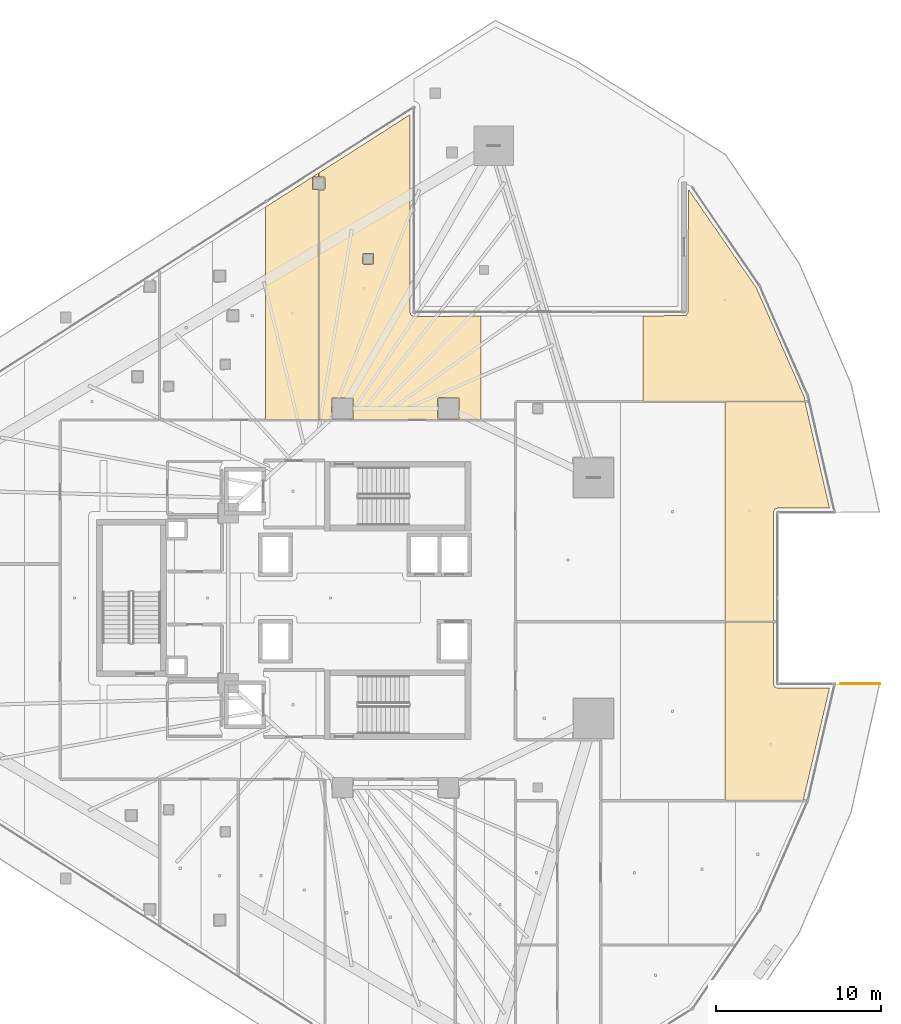
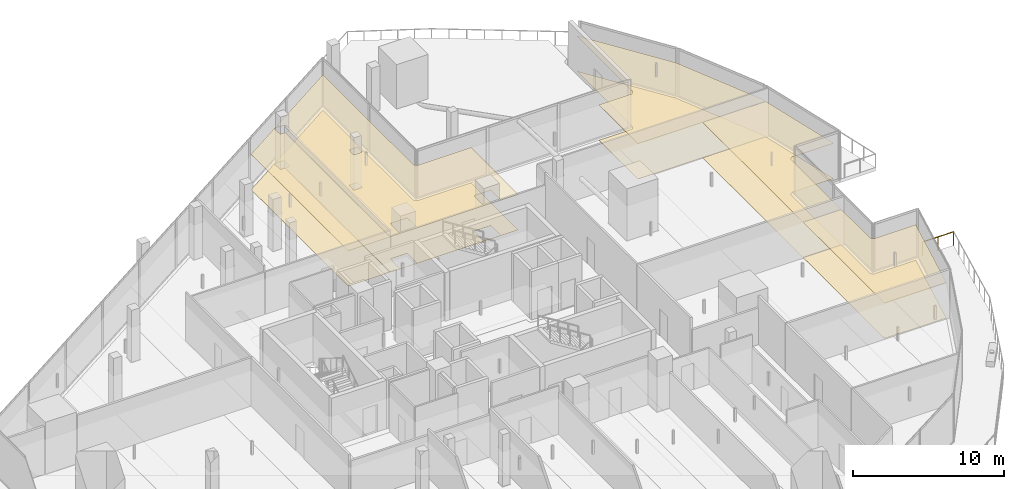
# One storey, part 44 of 44: 10 coverings, 1 railing.
"""IFC4 building model written with IfcOpenShell, lengths in metres."""

from ifc_helpers import new_model, si_unit, direction, frame, origin, origin_2d, place, context, subcontext, project, spatial, polyline, circle, outline, extrude, material, layer, layer_set, type_object, element, save


model = new_model("IFC4")

# Units and contexts
model_context = context("Model", 3, precision=1e-05, world=origin(), true_north=direction((0.0, 1.0)))
body_context = subcontext(model_context, "Body", "Model", "MODEL_VIEW")
ifc_project = project(units=[si_unit("LENGTHUNIT", "METRE"), si_unit("AREAUNIT", "SQUARE_METRE"), si_unit("VOLUMEUNIT", "CUBIC_METRE"), si_unit("PLANEANGLEUNIT", "RADIAN"), si_unit("MASSUNIT", "GRAM", prefix="KILO")], contexts=[model_context])

# Site, building, storey
site_placement = place(None, origin())
site = spatial("IfcSite", under=ifc_project, at=site_placement, CompositionType="ELEMENT")
building_placement = place(site_placement, origin())
building = spatial("IfcBuilding", under=site, at=building_placement, Name="Qorvath Tower", CompositionType="ELEMENT")
storey_placement = place(building_placement, frame((0.0, 0.0, 78.60009765625)))
storey = spatial("IfcBuildingStorey", under=building, at=storey_placement, Name="L17", CompositionType="ELEMENT", Elevation=78.60009765625)

# Coverings
ifc_material_1 = material(Name="Acoustic mineral fibre ceiling tile", Category="gypsum")
ifc_layer_1 = layer(ifc_material_1, 0.030029296875)
ifc_layer_set_1 = layer_set([ifc_layer_1], Name="COV-CEIL")
covering_type_1 = type_object("IfcCoveringType", Name="COV-CEIL", PredefinedType="CEILING", material=ifc_layer_set_1)
covering_1_placement = place(storey_placement, frame((0.0, 0.0, 2.849853515625)))
element("IfcCovering", 1, at=covering_1_placement, inside=storey, type_object=covering_type_1, Name="L17 Suspended Acoustic Ceiling 012", PredefinedType="CEILING", context=body_context, shape_type="SweptSolid", body=[
    extrude(outline(polyline([(-25.038818359375, 25.44384765625), (-25.038818359375, 25.686279296875), (-28.240966796875, 23.639892578125), (-28.240966796875, 10.762939453125), (-25.038818359375, 10.762939453125), (-25.038818359375, 24.673828125), (-25.405029296875, 24.69140625), (-25.422607421875, 25.3837890625), (-25.362548828125, 25.44384765625), (-25.038818359375, 25.44384765625)])), origin(), (0.0, 0.0, 1.0), 0.030029296875),
])
covering_2_placement = place(storey_placement, frame((0.0, 0.0, 2.849853515625)))
element("IfcCovering", 2, at=covering_2_placement, inside=storey, type_object=covering_type_1, Name="L17 Suspended Acoustic Ceiling 013", PredefinedType="CEILING", context=body_context, shape_type="SweptSolid", body=[
    extrude(outline(polyline([(-15.228271484375, 10.762939453125), (-15.228271484375, 17.034423828125), (-19.280029296875, 17.02490234375), (-19.458740234375, 17.0986328125), (-19.534912109375, 17.280029296875), (-19.534912109375, 29.2041015625), (-25.020751953125, 25.697998046875), (-25.020751953125, 25.44384765625), (-24.712646484375, 25.44384765625), (-24.652587890625, 25.3837890625), (-24.652587890625, 24.73388671875), (-24.712646484375, 24.673828125), (-25.020751953125, 24.673828125), (-25.020751953125, 10.762939453125), (-15.228271484375, 10.762939453125)]), holes=[polyline([(-17.860107421875, 12.050048828125), (-17.800048828125, 12.110107421875), (-16.5576171875, 12.092529296875), (-16.5576171875, 10.8076171875), (-17.842529296875, 10.8076171875), (-17.860107421875, 12.050048828125)]), polyline([(-22.38818359375, 20.219970703125), (-22.37060546875, 20.812255859375), (-21.73583984375, 20.812255859375), (-21.73583984375, 20.177490234375), (-22.328125, 20.159912109375), (-22.38818359375, 20.219970703125)]), polyline([(-24.260009765625, 10.85009765625), (-24.242431640625, 12.092529296875), (-22.95751953125, 12.092529296875), (-22.95751953125, 10.8076171875), (-24.199951171875, 10.7900390625), (-24.260009765625, 10.85009765625)])]), origin(), (0.0, 0.0, 1.0), 0.030029296875),
])
covering_3_placement = place(storey_placement, frame((0.0, 0.0, 2.849853515625)))
element("IfcCovering", 3, at=covering_3_placement, inside=storey, type_object=covering_type_1, Name="L17 Suspended Acoustic Ceiling 015", PredefinedType="CEILING", context=body_context, shape_type="SweptSolid", body=[
    extrude(outline(polyline([(-5.435546875, 17.057373046875), (-5.435546875, 11.878173828125), (4.357177734375, 11.883056640625), (4.30078125, 12.158447265625), (1.416259765625, 18.74072265625), (-2.696044921875, 24.69970703125), (-2.72509765625, 17.281005859375), (-2.869384765625, 17.0634765625), (-5.435546875, 17.057373046875)])), origin(), (0.0, 0.0, 1.0), 0.030029296875),
])
covering_4_placement = place(storey_placement, frame((0.0, 0.0, 2.849853515625)))
element("IfcCovering", 4, at=covering_4_placement, inside=storey, type_object=covering_type_1, Name="L17 Suspended Acoustic Ceiling 033", PredefinedType="CEILING", context=body_context, shape_type="SweptSolid", body=[
    extrude(outline(polyline([(2.532958984375, -5.3798828125), (2.445556640625, -5.232666015625), (2.44091796875, -1.4462890625), (-0.491455078125, -1.4462890625), (-0.491455078125, -12.236328125), (4.244140625, -12.236328125), (5.831298828125, -5.43896484375), (2.67138671875, -5.437744140625), (2.532958984375, -5.3798828125)])), origin(), (0.0, 0.0, 1.0), 0.030029296875),
])
covering_5_placement = place(storey_placement, frame((0.0, 0.0, 2.849853515625)))
element("IfcCovering", 5, at=covering_5_placement, inside=storey, type_object=covering_type_1, Name="L17 Suspended Acoustic Ceiling 036", PredefinedType="CEILING", context=body_context, shape_type="SweptSolid", body=[
    extrude(outline(polyline([(2.51708984375, 5.365478515625), (2.69580078125, 5.43896484375), (5.831298828125, 5.43896484375), (4.348388671875, 11.864990234375), (-0.491455078125, 11.863037109375), (-0.491455078125, -1.428466796875), (2.44091796875, -1.428466796875), (2.44091796875, 5.18408203125), (2.51708984375, 5.365478515625)])), origin(), (0.0, 0.0, 1.0), 0.030029296875),
])
ifc_material_2 = material(Name="Low-VOC modular carpet tile", Category="textile")
ifc_layer_2 = layer(ifc_material_2, 0.014892578125)
ifc_layer_set_2 = layer_set([ifc_layer_2], Name="COV-FLOOR-CPT")
covering_type_2 = type_object("IfcCoveringType", Name="COV-FLOOR-CPT", PredefinedType="FLOORING", material=ifc_layer_set_2)
covering_6_placement = place(storey_placement, origin())
element("IfcCovering", 6, at=covering_6_placement, inside=storey, type_object=covering_type_2, Name="L17 Floor Finish 012", PredefinedType="FLOORING", context=body_context, shape_type="SweptSolid", body=[
    extrude(outline(polyline([(-25.038818359375, 25.44384765625), (-25.038818359375, 25.686279296875), (-28.240966796875, 23.639892578125), (-28.240966796875, 10.762939453125), (-25.038818359375, 10.762939453125), (-25.038818359375, 24.673828125), (-25.405029296875, 24.69140625), (-25.422607421875, 25.3837890625), (-25.362548828125, 25.44384765625), (-25.038818359375, 25.44384765625)])), origin(), (0.0, 0.0, 1.0), 0.014892578125),
])
covering_7_placement = place(storey_placement, origin())
element("IfcCovering", 7, at=covering_7_placement, inside=storey, type_object=covering_type_2, Name="L17 Floor Finish 013", PredefinedType="FLOORING", context=body_context, shape_type="SweptSolid", body=[
    extrude(outline(polyline([(-15.228271484375, 10.762939453125), (-15.228271484375, 17.034423828125), (-19.280029296875, 17.02490234375), (-19.458740234375, 17.0986328125), (-19.534912109375, 17.280029296875), (-19.534912109375, 29.2041015625), (-25.020751953125, 25.697998046875), (-25.020751953125, 25.44384765625), (-24.712646484375, 25.44384765625), (-24.652587890625, 25.3837890625), (-24.652587890625, 24.73388671875), (-24.712646484375, 24.673828125), (-25.020751953125, 24.673828125), (-25.020751953125, 10.762939453125), (-15.228271484375, 10.762939453125)]), holes=[polyline([(-17.860107421875, 12.050048828125), (-17.800048828125, 12.110107421875), (-16.5576171875, 12.092529296875), (-16.5576171875, 10.8076171875), (-17.842529296875, 10.8076171875), (-17.860107421875, 12.050048828125)]), polyline([(-22.38818359375, 20.219970703125), (-22.37060546875, 20.812255859375), (-21.73583984375, 20.812255859375), (-21.73583984375, 20.177490234375), (-22.328125, 20.159912109375), (-22.38818359375, 20.219970703125)]), polyline([(-24.260009765625, 10.85009765625), (-24.242431640625, 12.092529296875), (-22.95751953125, 12.092529296875), (-22.95751953125, 10.8076171875), (-24.199951171875, 10.7900390625), (-24.260009765625, 10.85009765625)])]), origin(), (0.0, 0.0, 1.0), 0.014892578125),
])
covering_8_placement = place(storey_placement, origin())
element("IfcCovering", 8, at=covering_8_placement, inside=storey, type_object=covering_type_2, Name="L17 Floor Finish 015", PredefinedType="FLOORING", context=body_context, shape_type="SweptSolid", body=[
    extrude(outline(polyline([(-5.435546875, 17.057373046875), (-5.435546875, 11.878173828125), (4.357177734375, 11.883056640625), (4.30078125, 12.158447265625), (1.416259765625, 18.74072265625), (-2.696044921875, 24.69970703125), (-2.72509765625, 17.281005859375), (-2.869384765625, 17.0634765625), (-5.435546875, 17.057373046875)])), origin(), (0.0, 0.0, 1.0), 0.014892578125),
])
covering_9_placement = place(storey_placement, origin())
element("IfcCovering", 9, at=covering_9_placement, inside=storey, type_object=covering_type_2, Name="L17 Floor Finish 033", PredefinedType="FLOORING", context=body_context, shape_type="SweptSolid", body=[
    extrude(outline(polyline([(2.532958984375, -5.3798828125), (2.445556640625, -5.232666015625), (2.44091796875, -1.4462890625), (-0.491455078125, -1.4462890625), (-0.491455078125, -12.236328125), (4.244140625, -12.236328125), (5.831298828125, -5.43896484375), (2.67138671875, -5.437744140625), (2.532958984375, -5.3798828125)])), origin(), (0.0, 0.0, 1.0), 0.014892578125),
])
covering_10_placement = place(storey_placement, origin())
element("IfcCovering", 10, at=covering_10_placement, inside=storey, type_object=covering_type_2, Name="L17 Floor Finish 036", PredefinedType="FLOORING", context=body_context, shape_type="SweptSolid", body=[
    extrude(outline(polyline([(2.51708984375, 5.365478515625), (2.69580078125, 5.43896484375), (5.831298828125, 5.43896484375), (4.348388671875, 11.864990234375), (-0.491455078125, 11.863037109375), (-0.491455078125, -1.428466796875), (2.44091796875, -1.428466796875), (2.44091796875, 5.18408203125), (2.51708984375, 5.365478515625)])), origin(), (0.0, 0.0, 1.0), 0.014892578125),
])

# Railing
ifc_material_3 = material(Name="Laminated safety glass and stainless steel AISI 316", Category="steel")
railing_type = type_object("IfcRailingType", Name="RL-EXT-GRD", PredefinedType="GUARDRAIL", material=ifc_material_3)
railing_placement = place(storey_placement, frame((6.50146484375, -5.18408203125, 0.0)))
element("IfcRailing", 11, at=railing_placement, inside=storey, type_object=railing_type, Name="Loggia Perimeter Guardrail L17-1.2", PredefinedType="GUARDRAIL", context=body_context, shape_type="SweptSolid", body=[
    extrude(circle(Radius=0.02392578125, at=origin_2d()), frame((0.0, 0.0, 1.09619140625), z_axis=(1.0, 0.0, 0.0), x_axis=(0.0, 1.0, 0.0)), (0.0, 0.0, 1.0), 2.366455078125),
    extrude(circle(Radius=0.02099609375, at=origin_2d()), origin(), (0.0, 0.0, 1.0), 1.072021484375),
    extrude(circle(Radius=0.02099609375, at=origin_2d()), frame((1.18310546875, 0.0, 0.0)), (0.0, 0.0, 1.0), 1.072021484375),
    extrude(circle(Radius=0.02099609375, at=origin_2d()), frame((2.366455078125, 0.0, 0.0)), (0.0, 0.0, 1.0), 1.072021484375),
])

save(model, "model.ifc")
